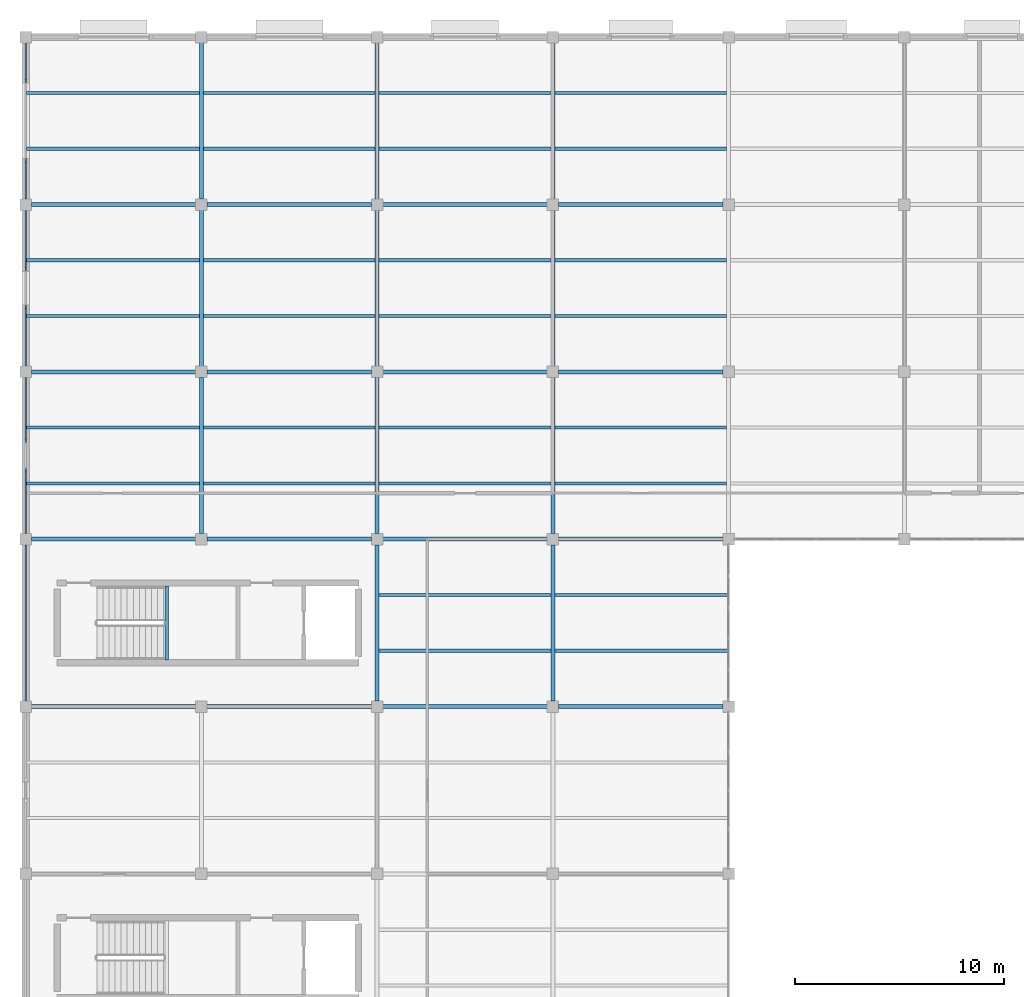
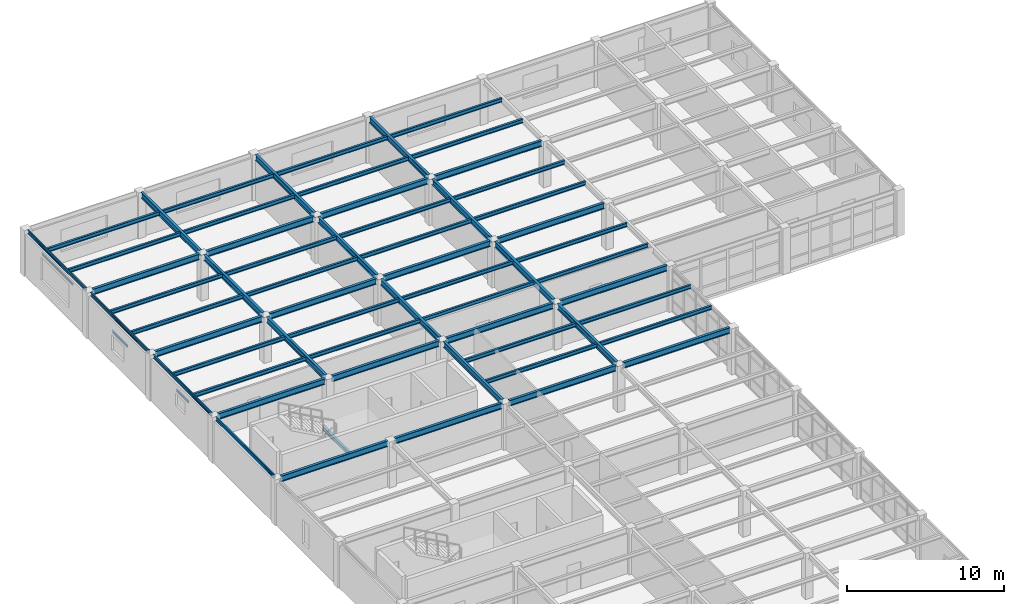
# One storey, part 18 of 53: 63 beams.
"""IFC4 building model written with IfcOpenShell, lengths in metres."""

from ifc_helpers import new_model, si_unit, direction, frame, origin, origin_2d, place, context, subcontext, project, spatial, i_section, u_section, extrude, material, material_profile, profile_set, type_object, element, save


model = new_model("IFC4")

# Units and contexts
model_context = context("Model", 3, precision=1e-05, world=origin(), true_north=direction((0.0, 1.0)))
body_context = subcontext(model_context, "Body", "Model", "MODEL_VIEW")
ifc_project = project(units=[si_unit("LENGTHUNIT", "METRE"), si_unit("AREAUNIT", "SQUARE_METRE"), si_unit("VOLUMEUNIT", "CUBIC_METRE"), si_unit("PLANEANGLEUNIT", "RADIAN"), si_unit("MASSUNIT", "GRAM", prefix="KILO")], contexts=[model_context])

# Site, building, storey
site_placement = place(None, origin())
site = spatial("IfcSite", under=ifc_project, at=site_placement, CompositionType="ELEMENT")
building_placement = place(site_placement, origin())
building = spatial("IfcBuilding", under=site, at=building_placement, Name="Kranzveld Transit Interchange", CompositionType="ELEMENT")
storey_placement = place(building_placement, frame((0.0, 0.0, 13.360107421875)))
storey = spatial("IfcBuildingStorey", under=building, at=storey_placement, Name="L03", CompositionType="ELEMENT", Elevation=13.360107421875)

# Beams
ifc_material_1 = material(Name="Steel S355JR", Category="steel")
ifc_material_profile_1 = material_profile(ifc_material_1, i_section(OverallWidth=0.18994140625, OverallDepth=0.453369140625, WebThickness=0.008544921875, FlangeThickness=0.0126953125, FilletRadius=0.01025390625, at=origin_2d()), Name="UB 457x191x67")
ifc_profile_set_1 = profile_set([ifc_material_profile_1], Name="Steel S355JR")
beam_type_1 = type_object("IfcBeamType", Name="Beam Steel UB 457x191x67 S355JR", PredefinedType="BEAM", material=ifc_profile_set_1)
for number, where, z_axis, x_axis, name in (
    (1, (8.39990234375, 88.264892578125, 3.353271484375), (0.0, 1.0, 0.0), (-1.0, 0.0, 0.0), "L03 Girder 02/M-N"),
    (2, (8.39990234375, 96.264892578125, 3.353271484375), (0.0, 1.0, 0.0), (-1.0, 0.0, 0.0), "L03 Girder 02/N-P"),
    (3, (8.39990234375, 104.264892578125, 3.353271484375), (0.0, 1.0, 0.0), (-1.0, 0.0, 0.0), "L03 Girder 02/P-Q"),
    (4, (16.800048828125, 80.264892578125, 3.353271484375), (0.0, 1.0, 0.0), (-1.0, 0.0, 0.0), "L03 Girder 03/L-M"),
    (5, (16.800048828125, 88.264892578125, 3.353271484375), (0.0, 1.0, 0.0), (-1.0, 0.0, 0.0), "L03 Girder 03/M-N"),
    (6, (16.800048828125, 96.264892578125, 3.353271484375), (0.0, 1.0, 0.0), (-1.0, 0.0, 0.0), "L03 Girder 03/N-P"),
    (7, (16.800048828125, 104.264892578125, 3.353271484375), (0.0, 1.0, 0.0), (-1.0, 0.0, 0.0), "L03 Girder 03/P-Q"),
    (8, (25.199951171875, 80.264892578125, 3.353271484375), (0.0, 1.0, 0.0), (-1.0, 0.0, 0.0), "L03 Girder 04/L-M"),
    (9, (25.199951171875, 88.264892578125, 3.353271484375), (0.0, 1.0, 0.0), (-1.0, 0.0, 0.0), "L03 Girder 04/M-N"),
    (10, (25.199951171875, 96.264892578125, 3.353271484375), (0.0, 1.0, 0.0), (-1.0, 0.0, 0.0), "L03 Girder 04/N-P"),
    (11, (25.199951171875, 104.264892578125, 3.353271484375), (0.0, 1.0, 0.0), (-1.0, 0.0, 0.0), "L03 Girder 04/P-Q"),
):
    element("IfcBeam", number, at=place(storey_placement, frame(where, z_axis=z_axis, x_axis=x_axis)), inside=storey, type_object=beam_type_1, Name=name, PredefinedType="BEAM", context=body_context, shape_type="SweptSolid", body=[
        extrude(i_section(OverallWidth=0.18994140625, OverallDepth=0.453369140625, WebThickness=0.008544921875, FlangeThickness=0.0126953125, FilletRadius=0.01025390625, at=origin_2d()), origin(), (0.0, 0.0, 1.0), 7.47021484375),
    ])
ifc_material_2 = material(Name="Steel S355JR", Category="steel")
ifc_material_profile_2 = material_profile(ifc_material_2, i_section(OverallWidth=0.1904296875, OverallDepth=0.45703125, WebThickness=0.009033203125, FlangeThickness=0.014404296875, FilletRadius=0.01025390625, at=origin_2d()), Name="UB 457x191x74")
ifc_profile_set_2 = profile_set([ifc_material_profile_2], Name="Steel S355JR")
beam_type_2 = type_object("IfcBeamType", Name="Beam Steel UB 457x191x74 S355JR", PredefinedType="BEAM", material=ifc_profile_set_2)
beam_1_placement = place(storey_placement, frame((0.264892578125, 80.0, 3.351318359375), z_axis=(1.0, 0.0, 0.0), x_axis=(0.0, 1.0, 0.0)))
element("IfcBeam", 12, at=beam_1_placement, inside=storey, type_object=beam_type_2, Name="L03 Girder 01-02/L", PredefinedType="BEAM", context=body_context, shape_type="SweptSolid", body=[
    extrude(i_section(OverallWidth=0.1904296875, OverallDepth=0.45703125, WebThickness=0.009033203125, FlangeThickness=0.014404296875, FilletRadius=0.01025390625, at=origin_2d()), origin(), (0.0, 0.0, 1.0), 7.8701171875),
])
beam_2_placement = place(storey_placement, frame((8.6650390625, 80.0, 3.351318359375), z_axis=(1.0, 0.0, 0.0), x_axis=(0.0, 1.0, 0.0)))
element("IfcBeam", 13, at=beam_2_placement, inside=storey, type_object=beam_type_2, Name="L03 Girder 02-03/L", PredefinedType="BEAM", context=body_context, shape_type="SweptSolid", body=[
    extrude(i_section(OverallWidth=0.1904296875, OverallDepth=0.45703125, WebThickness=0.009033203125, FlangeThickness=0.014404296875, FilletRadius=0.01025390625, at=origin_2d()), origin(), (0.0, 0.0, 1.0), 7.869873046875),
])
beam_3_placement = place(storey_placement, frame((17.06494140625, 80.0, 3.351318359375), z_axis=(1.0, 0.0, 0.0), x_axis=(0.0, 1.0, 0.0)))
element("IfcBeam", 14, at=beam_3_placement, inside=storey, type_object=beam_type_2, Name="L03 Girder 03-04/L", PredefinedType="BEAM", context=body_context, shape_type="SweptSolid", body=[
    extrude(i_section(OverallWidth=0.1904296875, OverallDepth=0.45703125, WebThickness=0.009033203125, FlangeThickness=0.014404296875, FilletRadius=0.01025390625, at=origin_2d()), origin(), (0.0, 0.0, 1.0), 7.8701171875),
])
beam_4_placement = place(storey_placement, frame((25.465087890625, 80.0, 3.351318359375), z_axis=(1.0, 0.0, 0.0), x_axis=(0.0, 1.0, 0.0)))
element("IfcBeam", 15, at=beam_4_placement, inside=storey, type_object=beam_type_2, Name="L03 Girder 04-05/L", PredefinedType="BEAM", context=body_context, shape_type="SweptSolid", body=[
    extrude(i_section(OverallWidth=0.1904296875, OverallDepth=0.45703125, WebThickness=0.009033203125, FlangeThickness=0.014404296875, FilletRadius=0.01025390625, at=origin_2d()), origin(), (0.0, 0.0, 1.0), 7.869873046875),
])
beam_5_placement = place(storey_placement, frame((0.264892578125, 88.0, 3.351318359375), z_axis=(1.0, 0.0, 0.0), x_axis=(0.0, 1.0, 0.0)))
element("IfcBeam", 16, at=beam_5_placement, inside=storey, type_object=beam_type_2, Name="L03 Girder 01-02/M", PredefinedType="BEAM", context=body_context, shape_type="SweptSolid", body=[
    extrude(i_section(OverallWidth=0.1904296875, OverallDepth=0.45703125, WebThickness=0.009033203125, FlangeThickness=0.014404296875, FilletRadius=0.01025390625, at=origin_2d()), origin(), (0.0, 0.0, 1.0), 7.8701171875),
])
beam_6_placement = place(storey_placement, frame((8.6650390625, 88.0, 3.351318359375), z_axis=(1.0, 0.0, 0.0), x_axis=(0.0, 1.0, 0.0)))
element("IfcBeam", 17, at=beam_6_placement, inside=storey, type_object=beam_type_2, Name="L03 Girder 02-03/M", PredefinedType="BEAM", context=body_context, shape_type="SweptSolid", body=[
    extrude(i_section(OverallWidth=0.1904296875, OverallDepth=0.45703125, WebThickness=0.009033203125, FlangeThickness=0.014404296875, FilletRadius=0.01025390625, at=origin_2d()), origin(), (0.0, 0.0, 1.0), 7.869873046875),
])
beam_7_placement = place(storey_placement, frame((17.06494140625, 88.0, 3.351318359375), z_axis=(1.0, 0.0, 0.0), x_axis=(0.0, 1.0, 0.0)))
element("IfcBeam", 18, at=beam_7_placement, inside=storey, type_object=beam_type_2, Name="L03 Girder 03-04/M", PredefinedType="BEAM", context=body_context, shape_type="SweptSolid", body=[
    extrude(i_section(OverallWidth=0.1904296875, OverallDepth=0.45703125, WebThickness=0.009033203125, FlangeThickness=0.014404296875, FilletRadius=0.01025390625, at=origin_2d()), origin(), (0.0, 0.0, 1.0), 7.8701171875),
])
beam_8_placement = place(storey_placement, frame((25.465087890625, 88.0, 3.351318359375), z_axis=(1.0, 0.0, 0.0), x_axis=(0.0, 1.0, 0.0)))
element("IfcBeam", 19, at=beam_8_placement, inside=storey, type_object=beam_type_2, Name="L03 Girder 04-05/M", PredefinedType="BEAM", context=body_context, shape_type="SweptSolid", body=[
    extrude(i_section(OverallWidth=0.1904296875, OverallDepth=0.45703125, WebThickness=0.009033203125, FlangeThickness=0.014404296875, FilletRadius=0.01025390625, at=origin_2d()), origin(), (0.0, 0.0, 1.0), 7.869873046875),
])
beam_9_placement = place(storey_placement, frame((0.264892578125, 96.0, 3.351318359375), z_axis=(1.0, 0.0, 0.0), x_axis=(0.0, 1.0, 0.0)))
element("IfcBeam", 20, at=beam_9_placement, inside=storey, type_object=beam_type_2, Name="L03 Girder 01-02/N", PredefinedType="BEAM", context=body_context, shape_type="SweptSolid", body=[
    extrude(i_section(OverallWidth=0.1904296875, OverallDepth=0.45703125, WebThickness=0.009033203125, FlangeThickness=0.014404296875, FilletRadius=0.01025390625, at=origin_2d()), origin(), (0.0, 0.0, 1.0), 7.8701171875),
])
beam_10_placement = place(storey_placement, frame((8.6650390625, 96.0, 3.351318359375), z_axis=(1.0, 0.0, 0.0), x_axis=(0.0, 1.0, 0.0)))
element("IfcBeam", 21, at=beam_10_placement, inside=storey, type_object=beam_type_2, Name="L03 Girder 02-03/N", PredefinedType="BEAM", context=body_context, shape_type="SweptSolid", body=[
    extrude(i_section(OverallWidth=0.1904296875, OverallDepth=0.45703125, WebThickness=0.009033203125, FlangeThickness=0.014404296875, FilletRadius=0.01025390625, at=origin_2d()), origin(), (0.0, 0.0, 1.0), 7.869873046875),
])
beam_11_placement = place(storey_placement, frame((17.06494140625, 96.0, 3.351318359375), z_axis=(1.0, 0.0, 0.0), x_axis=(0.0, 1.0, 0.0)))
element("IfcBeam", 22, at=beam_11_placement, inside=storey, type_object=beam_type_2, Name="L03 Girder 03-04/N", PredefinedType="BEAM", context=body_context, shape_type="SweptSolid", body=[
    extrude(i_section(OverallWidth=0.1904296875, OverallDepth=0.45703125, WebThickness=0.009033203125, FlangeThickness=0.014404296875, FilletRadius=0.01025390625, at=origin_2d()), origin(), (0.0, 0.0, 1.0), 7.8701171875),
])
beam_12_placement = place(storey_placement, frame((25.465087890625, 96.0, 3.351318359375), z_axis=(1.0, 0.0, 0.0), x_axis=(0.0, 1.0, 0.0)))
element("IfcBeam", 23, at=beam_12_placement, inside=storey, type_object=beam_type_2, Name="L03 Girder 04-05/N", PredefinedType="BEAM", context=body_context, shape_type="SweptSolid", body=[
    extrude(i_section(OverallWidth=0.1904296875, OverallDepth=0.45703125, WebThickness=0.009033203125, FlangeThickness=0.014404296875, FilletRadius=0.01025390625, at=origin_2d()), origin(), (0.0, 0.0, 1.0), 7.869873046875),
])
beam_13_placement = place(storey_placement, frame((0.264892578125, 104.0, 3.351318359375), z_axis=(1.0, 0.0, 0.0), x_axis=(0.0, 1.0, 0.0)))
element("IfcBeam", 24, at=beam_13_placement, inside=storey, type_object=beam_type_2, Name="L03 Girder 01-02/P", PredefinedType="BEAM", context=body_context, shape_type="SweptSolid", body=[
    extrude(i_section(OverallWidth=0.1904296875, OverallDepth=0.45703125, WebThickness=0.009033203125, FlangeThickness=0.014404296875, FilletRadius=0.01025390625, at=origin_2d()), origin(), (0.0, 0.0, 1.0), 7.8701171875),
])
beam_14_placement = place(storey_placement, frame((8.6650390625, 104.0, 3.351318359375), z_axis=(1.0, 0.0, 0.0), x_axis=(0.0, 1.0, 0.0)))
element("IfcBeam", 25, at=beam_14_placement, inside=storey, type_object=beam_type_2, Name="L03 Girder 02-03/P", PredefinedType="BEAM", context=body_context, shape_type="SweptSolid", body=[
    extrude(i_section(OverallWidth=0.1904296875, OverallDepth=0.45703125, WebThickness=0.009033203125, FlangeThickness=0.014404296875, FilletRadius=0.01025390625, at=origin_2d()), origin(), (0.0, 0.0, 1.0), 7.869873046875),
])
beam_15_placement = place(storey_placement, frame((17.06494140625, 104.0, 3.351318359375), z_axis=(1.0, 0.0, 0.0), x_axis=(0.0, 1.0, 0.0)))
element("IfcBeam", 26, at=beam_15_placement, inside=storey, type_object=beam_type_2, Name="L03 Girder 03-04/P", PredefinedType="BEAM", context=body_context, shape_type="SweptSolid", body=[
    extrude(i_section(OverallWidth=0.1904296875, OverallDepth=0.45703125, WebThickness=0.009033203125, FlangeThickness=0.014404296875, FilletRadius=0.01025390625, at=origin_2d()), origin(), (0.0, 0.0, 1.0), 7.8701171875),
])
beam_16_placement = place(storey_placement, frame((25.465087890625, 104.0, 3.351318359375), z_axis=(1.0, 0.0, 0.0), x_axis=(0.0, 1.0, 0.0)))
element("IfcBeam", 27, at=beam_16_placement, inside=storey, type_object=beam_type_2, Name="L03 Girder 04-05/P", PredefinedType="BEAM", context=body_context, shape_type="SweptSolid", body=[
    extrude(i_section(OverallWidth=0.1904296875, OverallDepth=0.45703125, WebThickness=0.009033203125, FlangeThickness=0.014404296875, FilletRadius=0.01025390625, at=origin_2d()), origin(), (0.0, 0.0, 1.0), 7.869873046875),
])
ifc_material_3 = material(Name="Steel S355JR", Category="steel")
ifc_material_profile_3 = material_profile(ifc_material_3, i_section(OverallWidth=0.14990234375, OverallDepth=0.300048828125, WebThickness=0.007080078125, FlangeThickness=0.0107421875, FilletRadius=0.014892578125, at=origin_2d()), Name="IPE 300")
ifc_profile_set_3 = profile_set([ifc_material_profile_3], Name="Steel S355JR")
beam_type_3 = type_object("IfcBeamType", Name="Deck Joist IPE 300 S355JR", PredefinedType="JOIST", material=ifc_profile_set_3)
for number, where, z_axis, x_axis, name in (
    (28, (0.047119140625, 90.666748046875, 3.429931640625), (1.0, 0.0, 0.0), (0.0, 1.0, 0.0), "L03 Secondary Joist 01-02/M.1"),
    (29, (0.047119140625, 93.333251953125, 3.429931640625), (1.0, 0.0, 0.0), (0.0, 1.0, 0.0), "L03 Secondary Joist 01-02/M.2"),
    (30, (0.047119140625, 98.666748046875, 3.429931640625), (1.0, 0.0, 0.0), (0.0, 1.0, 0.0), "L03 Secondary Joist 01-02/N.1"),
    (31, (0.047119140625, 101.333251953125, 3.429931640625), (1.0, 0.0, 0.0), (0.0, 1.0, 0.0), "L03 Secondary Joist 01-02/N.2"),
    (32, (0.047119140625, 106.666748046875, 3.429931640625), (1.0, 0.0, 0.0), (0.0, 1.0, 0.0), "L03 Secondary Joist 01-02/P.1"),
    (33, (0.047119140625, 109.333251953125, 3.429931640625), (1.0, 0.0, 0.0), (0.0, 1.0, 0.0), "L03 Secondary Joist 01-02/P.2"),
):
    element("IfcBeam", number, at=place(storey_placement, frame(where, z_axis=z_axis, x_axis=x_axis)), inside=storey, type_object=beam_type_3, Name=name, PredefinedType="JOIST", context=body_context, shape_type="SweptSolid", body=[
        extrude(i_section(OverallWidth=0.14990234375, OverallDepth=0.300048828125, WebThickness=0.007080078125, FlangeThickness=0.0107421875, FilletRadius=0.014892578125, at=origin_2d()), origin(), (0.0, 0.0, 1.0), 8.255859375),
    ])
for number, where, z_axis, x_axis, name in (
    (34, (8.4970703125, 90.666748046875, 3.429931640625), (1.0, 0.0, 0.0), (0.0, 1.0, 0.0), "L03 Secondary Joist 02-03/M.1"),
    (35, (8.4970703125, 93.333251953125, 3.429931640625), (1.0, 0.0, 0.0), (0.0, 1.0, 0.0), "L03 Secondary Joist 02-03/M.2"),
    (36, (8.4970703125, 98.666748046875, 3.429931640625), (1.0, 0.0, 0.0), (0.0, 1.0, 0.0), "L03 Secondary Joist 02-03/N.1"),
    (37, (8.4970703125, 101.333251953125, 3.429931640625), (1.0, 0.0, 0.0), (0.0, 1.0, 0.0), "L03 Secondary Joist 02-03/N.2"),
    (38, (8.4970703125, 106.666748046875, 3.429931640625), (1.0, 0.0, 0.0), (0.0, 1.0, 0.0), "L03 Secondary Joist 02-03/P.1"),
    (39, (8.4970703125, 109.333251953125, 3.429931640625), (1.0, 0.0, 0.0), (0.0, 1.0, 0.0), "L03 Secondary Joist 02-03/P.2"),
    (40, (16.89697265625, 82.666748046875, 3.429931640625), (1.0, 0.0, 0.0), (0.0, 1.0, 0.0), "L03 Secondary Joist 03-04/L.1"),
    (41, (16.89697265625, 85.333251953125, 3.429931640625), (1.0, 0.0, 0.0), (0.0, 1.0, 0.0), "L03 Secondary Joist 03-04/L.2"),
    (42, (16.89697265625, 90.666748046875, 3.429931640625), (1.0, 0.0, 0.0), (0.0, 1.0, 0.0), "L03 Secondary Joist 03-04/M.1"),
    (43, (16.89697265625, 93.333251953125, 3.429931640625), (1.0, 0.0, 0.0), (0.0, 1.0, 0.0), "L03 Secondary Joist 03-04/M.2"),
    (44, (16.89697265625, 98.666748046875, 3.429931640625), (1.0, 0.0, 0.0), (0.0, 1.0, 0.0), "L03 Secondary Joist 03-04/N.1"),
    (45, (16.89697265625, 101.333251953125, 3.429931640625), (1.0, 0.0, 0.0), (0.0, 1.0, 0.0), "L03 Secondary Joist 03-04/N.2"),
    (46, (16.89697265625, 106.666748046875, 3.429931640625), (1.0, 0.0, 0.0), (0.0, 1.0, 0.0), "L03 Secondary Joist 03-04/P.1"),
    (47, (16.89697265625, 109.333251953125, 3.429931640625), (1.0, 0.0, 0.0), (0.0, 1.0, 0.0), "L03 Secondary Joist 03-04/P.2"),
):
    element("IfcBeam", number, at=place(storey_placement, frame(where, z_axis=z_axis, x_axis=x_axis)), inside=storey, type_object=beam_type_3, Name=name, PredefinedType="JOIST", context=body_context, shape_type="SweptSolid", body=[
        extrude(i_section(OverallWidth=0.14990234375, OverallDepth=0.300048828125, WebThickness=0.007080078125, FlangeThickness=0.0107421875, FilletRadius=0.014892578125, at=origin_2d()), origin(), (0.0, 0.0, 1.0), 8.2060546875),
    ])
for number, where, z_axis, x_axis, name in (
    (48, (25.296875, 82.666748046875, 3.429931640625), (1.0, 0.0, 0.0), (0.0, 1.0, 0.0), "L03 Secondary Joist 04-05/L.1"),
    (49, (25.296875, 85.333251953125, 3.429931640625), (1.0, 0.0, 0.0), (0.0, 1.0, 0.0), "L03 Secondary Joist 04-05/L.2"),
):
    element("IfcBeam", number, at=place(storey_placement, frame(where, z_axis=z_axis, x_axis=x_axis)), inside=storey, type_object=beam_type_3, Name=name, PredefinedType="JOIST", context=body_context, shape_type="SweptSolid", body=[
        extrude(i_section(OverallWidth=0.14990234375, OverallDepth=0.300048828125, WebThickness=0.007080078125, FlangeThickness=0.0107421875, FilletRadius=0.014892578125, at=origin_2d()), origin(), (0.0, 0.0, 1.0), 8.256103515625),
    ])
for number, where, z_axis, x_axis, name in (
    (50, (25.296875, 90.666748046875, 3.429931640625), (1.0, 0.0, 0.0), (0.0, 1.0, 0.0), "L03 Secondary Joist 04-05/M.1"),
    (51, (25.296875, 93.333251953125, 3.429931640625), (1.0, 0.0, 0.0), (0.0, 1.0, 0.0), "L03 Secondary Joist 04-05/M.2"),
    (52, (25.296875, 98.666748046875, 3.429931640625), (1.0, 0.0, 0.0), (0.0, 1.0, 0.0), "L03 Secondary Joist 04-05/N.1"),
    (53, (25.296875, 101.333251953125, 3.429931640625), (1.0, 0.0, 0.0), (0.0, 1.0, 0.0), "L03 Secondary Joist 04-05/N.2"),
    (54, (25.296875, 106.666748046875, 3.429931640625), (1.0, 0.0, 0.0), (0.0, 1.0, 0.0), "L03 Secondary Joist 04-05/P.1"),
    (55, (25.296875, 109.333251953125, 3.429931640625), (1.0, 0.0, 0.0), (0.0, 1.0, 0.0), "L03 Secondary Joist 04-05/P.2"),
):
    element("IfcBeam", number, at=place(storey_placement, frame(where, z_axis=z_axis, x_axis=x_axis)), inside=storey, type_object=beam_type_3, Name=name, PredefinedType="JOIST", context=body_context, shape_type="SweptSolid", body=[
        extrude(i_section(OverallWidth=0.14990234375, OverallDepth=0.300048828125, WebThickness=0.007080078125, FlangeThickness=0.0107421875, FilletRadius=0.014892578125, at=origin_2d()), origin(), (0.0, 0.0, 1.0), 8.2060546875),
    ])
ifc_material_4 = material(Name="Steel S355JR", Category="steel")
ifc_material_profile_4 = material_profile(ifc_material_4, u_section(Depth=0.300048828125, FlangeWidth=0.090087890625, WebThickness=0.009033203125, FlangeThickness=0.015380859375, FilletRadius=0.011962890625, at=origin_2d()), Name="PFC 300x90x41")
ifc_profile_set_4 = profile_set([ifc_material_profile_4], Name="Steel S355JR")
beam_type_4 = type_object("IfcBeamType", Name="Edge Spandrel PFC 300x90x41 S355JR", PredefinedType="SPANDREL", material=ifc_profile_set_4)
for number, where, z_axis, x_axis, name in (
    (56, (0.0, 80.264892578125, 3.429931640625), (0.0, 1.0, 0.0), (-1.0, 0.0, 0.0), "L03 Girder 01/L-M"),
    (57, (0.0, 88.264892578125, 3.429931640625), (0.0, 1.0, 0.0), (-1.0, 0.0, 0.0), "L03 Girder 01/M-N"),
    (58, (0.0, 96.264892578125, 3.429931640625), (0.0, 1.0, 0.0), (-1.0, 0.0, 0.0), "L03 Girder 01/N-P"),
    (59, (0.0, 104.264892578125, 3.429931640625), (0.0, 1.0, 0.0), (-1.0, 0.0, 0.0), "L03 Girder 01/P-Q"),
):
    element("IfcBeam", number, at=place(storey_placement, frame(where, z_axis=z_axis, x_axis=x_axis)), inside=storey, type_object=beam_type_4, Name=name, PredefinedType="SPANDREL", context=body_context, shape_type="SweptSolid", body=[
        extrude(u_section(Depth=0.300048828125, FlangeWidth=0.090087890625, WebThickness=0.009033203125, FlangeThickness=0.015380859375, FilletRadius=0.011962890625, at=origin_2d()), origin(), (0.0, 0.0, 1.0), 7.47021484375),
    ])
ifc_material_5 = material(Name="Steel S355JR", Category="steel")
ifc_material_profile_5 = material_profile(ifc_material_5, u_section(Depth=0.179931640625, FlangeWidth=0.070068359375, WebThickness=0.007080078125, FlangeThickness=0.010986328125, FilletRadius=0.010009765625, at=origin_2d()), Name="PFC 180x70x22")
ifc_profile_set_5 = profile_set([ifc_material_profile_5], Name="Steel S355JR")
beam_type_5 = type_object("IfcBeamType", Name="Masonry Lintel PFC 180x70x22 S355JR", PredefinedType="LINTEL", material=ifc_profile_set_5)
beam_17_placement = place(storey_placement, frame((0.0, 106.02001953125, 2.794921875), z_axis=(0.0, 1.0, 0.0), x_axis=(-1.0, 0.0, 0.0)))
element("IfcBeam", 60, at=beam_17_placement, inside=storey, type_object=beam_type_5, Name="L03 Window Lintel 181", PredefinedType="LINTEL", context=body_context, shape_type="SweptSolid", body=[
    extrude(u_section(Depth=0.179931640625, FlangeWidth=0.070068359375, WebThickness=0.007080078125, FlangeThickness=0.010986328125, FilletRadius=0.010009765625, at=origin_2d()), origin(), (0.0, 0.0, 1.0), 3.9599609375),
])
ifc_material_6 = material(Name="Steel S355JR", Category="steel")
ifc_material_profile_6 = material_profile(ifc_material_6, u_section(Depth=0.199951171875, FlangeWidth=0.074951171875, WebThickness=0.006103515625, FlangeThickness=0.012451171875, FilletRadius=0.011962890625, at=origin_2d()), Name="PFC 200x75x23")
ifc_profile_set_6 = profile_set([ifc_material_profile_6], Name="Steel S355JR")
beam_type_6 = type_object("IfcBeamType", Name="Masonry Lintel PFC 200x75x23 S355JR", PredefinedType="LINTEL", material=ifc_profile_set_6)
beam_18_placement = place(storey_placement, frame((0.0, 99.02001953125, 2.204833984375), z_axis=(0.0, 1.0, 0.0), x_axis=(-1.0, 0.0, 0.0)))
element("IfcBeam", 61, at=beam_18_placement, inside=storey, type_object=beam_type_6, Name="L03 Window Lintel 180", PredefinedType="LINTEL", context=body_context, shape_type="SweptSolid", body=[
    extrude(u_section(Depth=0.199951171875, FlangeWidth=0.074951171875, WebThickness=0.006103515625, FlangeThickness=0.012451171875, FilletRadius=0.011962890625, at=origin_2d()), origin(), (0.0, 0.0, 1.0), 1.9599609375),
])
ifc_material_7 = material(Name="Steel S355JR", Category="steel")
ifc_material_profile_7 = material_profile(ifc_material_7, i_section(OverallWidth=0.091064453125, OverallDepth=0.179931640625, WebThickness=0.00537109375, FlangeThickness=0.008056640625, FilletRadius=0.009033203125, at=origin_2d()), Name="IPE 180")
ifc_profile_set_7 = profile_set([ifc_material_profile_7], Name="Steel S355JR")
beam_type_7 = type_object("IfcBeamType", Name="Opening Lintel IPE 180 S355JR", PredefinedType="LINTEL", material=ifc_profile_set_7)
beam_19_placement = place(storey_placement, frame((0.0, 91.219970703125, 2.594970703125), z_axis=(0.0, 1.0, 0.0), x_axis=(-1.0, 0.0, 0.0)))
element("IfcBeam", 62, at=beam_19_placement, inside=storey, type_object=beam_type_7, Name="L03 Window Lintel 179", PredefinedType="LINTEL", context=body_context, shape_type="SweptSolid", body=[
    extrude(i_section(OverallWidth=0.091064453125, OverallDepth=0.179931640625, WebThickness=0.00537109375, FlangeThickness=0.008056640625, FilletRadius=0.009033203125, at=origin_2d()), origin(), (0.0, 0.0, 1.0), 1.56005859375),
])
ifc_material_8 = material(Name="Steel S355JR", Category="steel")
ifc_material_profile_8 = material_profile(ifc_material_8, i_section(OverallWidth=0.165771484375, OverallDepth=0.306640625, WebThickness=0.006591796875, FlangeThickness=0.01171875, FilletRadius=0.0087890625, at=origin_2d()), Name="UB 305x165x46")
ifc_profile_set_8 = profile_set([ifc_material_profile_8], Name="Steel S355JR")
beam_type_8 = type_object("IfcBeamType", Name="Roof Joist UB 305x165x46 S355JR", PredefinedType="JOIST", material=ifc_profile_set_8)
beam_20_placement = place(storey_placement, frame((6.75, 82.22998046875, 1.566650390625), z_axis=(0.0, 1.0, 0.0), x_axis=(-1.0, 0.0, 0.0)))
element("IfcBeam", 63, at=beam_20_placement, inside=storey, type_object=beam_type_8, Name="L03 ST-C2 Half-Landing Support Beam", PredefinedType="BEAM", context=body_context, shape_type="SweptSolid", body=[
    extrude(i_section(OverallWidth=0.165771484375, OverallDepth=0.306640625, WebThickness=0.006591796875, FlangeThickness=0.01171875, FilletRadius=0.0087890625, at=origin_2d()), origin(), (0.0, 0.0, 1.0), 3.5400390625),
])

save(model, "model.ifc")
